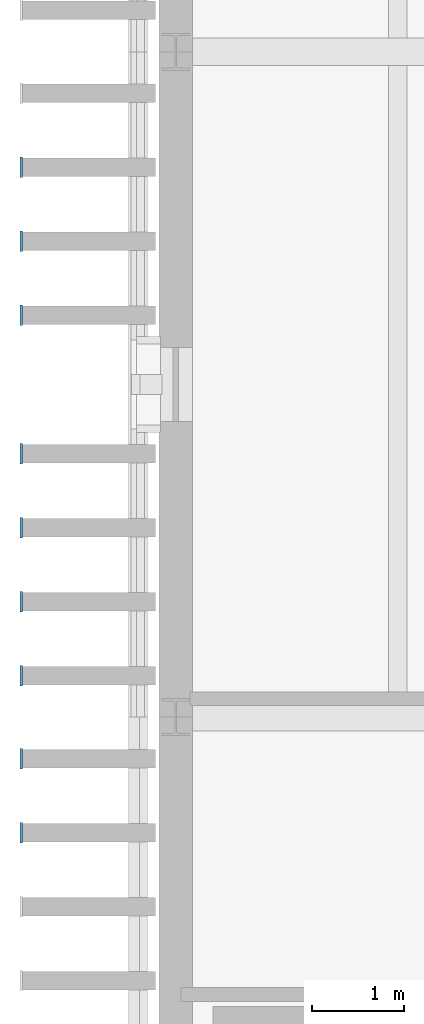
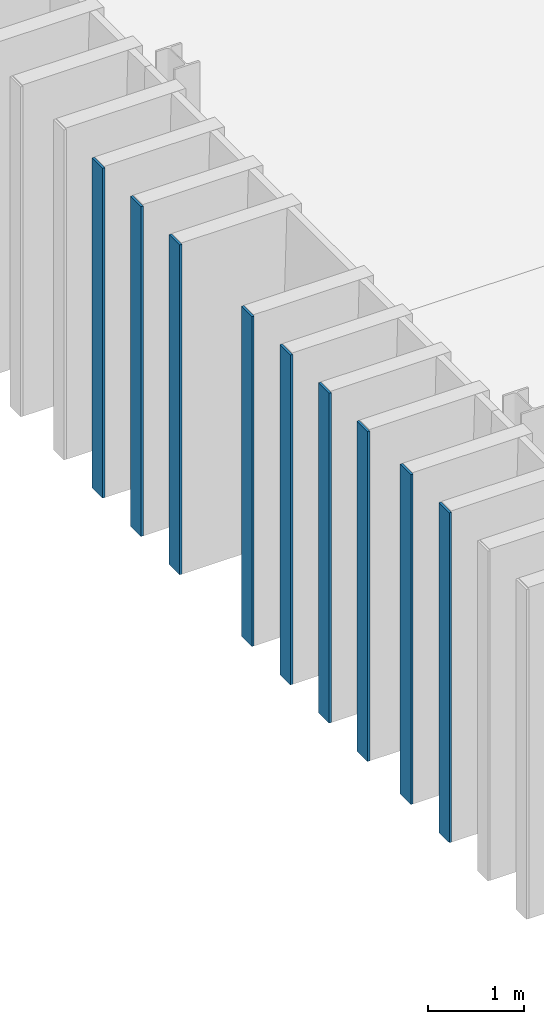
# One storey, part 24 of 66: 9 plates.
"""IFC4 building model written with IfcOpenShell, lengths in metres."""

from ifc_helpers import new_model, si_unit, direction, frame, origin, origin_2d, place, context, subcontext, project, spatial, rectangle, extrude, material, layer, layer_set, type_object, element, save


model = new_model("IFC4")

# Units and contexts
model_context = context("Model", 3, precision=1e-05, world=origin(), true_north=direction((0.0, 1.0)))
body_context = subcontext(model_context, "Body", "Model", "MODEL_VIEW")
ifc_project = project(units=[si_unit("LENGTHUNIT", "METRE"), si_unit("AREAUNIT", "SQUARE_METRE"), si_unit("VOLUMEUNIT", "CUBIC_METRE"), si_unit("PLANEANGLEUNIT", "RADIAN"), si_unit("MASSUNIT", "GRAM", prefix="KILO")], contexts=[model_context])

# Site, building, storey
site_placement = place(None, origin())
site = spatial("IfcSite", under=ifc_project, at=site_placement, CompositionType="ELEMENT")
building_placement = place(site_placement, origin())
building = spatial("IfcBuilding", under=site, at=building_placement, Name="Narikvali Park Central Library", CompositionType="ELEMENT")
storey_placement = place(building_placement, frame((0.0, 0.0, 18.60009765625)))
storey = spatial("IfcBuildingStorey", under=building, at=storey_placement, Name="L04", CompositionType="ELEMENT", Elevation=18.60009765625)

# Plates
ifc_material = material(Name="Anodised Bronze Aluminium", Category="aluminium")
ifc_layer = layer(ifc_material, 0.028076171875, Name="Anodised Bronze Aluminium")
ifc_layer_set = layer_set([ifc_layer], Name="Anodised Bronze Aluminium")
plate_type = type_object("IfcPlateType", Name="Vertical Brick Fin Bronze Bullnose Cap 28", PredefinedType="SHEET", material=ifc_layer_set)
for number, where, z_axis, x_axis, name in (
    (1, (-1.672119140625, 56.35009765625, 0.009765625), (0.0, 0.0, 1.0), (1.0, 0.0, 0.0), "West Stacks Fin Bullnose Trim 161"),
    (2, (-1.672119140625, 57.14990234375, 0.009765625), (0.0, 0.0, 1.0), (1.0, 0.0, 0.0), "West Stacks Fin Bullnose Trim 167"),
    (3, (-1.672119140625, 58.050048828125, 0.009765625), (0.0, 0.0, 1.0), (1.0, 0.0, 0.0), "West Stacks Fin Bullnose Trim 173"),
    (4, (-1.672119140625, 58.85009765625, 0.009765625), (0.0, 0.0, 1.0), (1.0, 0.0, 0.0), "West Stacks Fin Bullnose Trim 179"),
    (5, (-1.672119140625, 59.64990234375, 0.009765625), (0.0, 0.0, 1.0), (1.0, 0.0, 0.0), "West Stacks Fin Bullnose Trim 185"),
    (6, (-1.672119140625, 60.449951171875, 0.009765625), (0.0, 0.0, 1.0), (1.0, 0.0, 0.0), "West Stacks Fin Bullnose Trim 191"),
    (7, (-1.672119140625, 61.949951171875, 0.009765625), (0.0, 0.0, 1.0), (1.0, 0.0, 0.0), "West Stacks Fin Bullnose Trim 197"),
    (8, (-1.672119140625, 62.75, 0.009765625), (0.0, 0.0, 1.0), (1.0, 0.0, 0.0), "West Stacks Fin Bullnose Trim 203"),
    (9, (-1.672119140625, 63.550048828125, 0.009765625), (0.0, 0.0, 1.0), (1.0, 0.0, 0.0), "West Stacks Fin Bullnose Trim 209"),
):
    element("IfcPlate", number, at=place(storey_placement, frame(where, z_axis=z_axis, x_axis=x_axis)), inside=storey, type_object=plate_type, Name=name, PredefinedType="SHEET", context=body_context, shape_type="SweptSolid", body=[
        extrude(rectangle(XDim=0.028076171875, YDim=0.219970703125, at=origin_2d()), origin(), (0.0, 0.0, 1.0), 4.179931640625),
    ])

save(model, "model.ifc")
